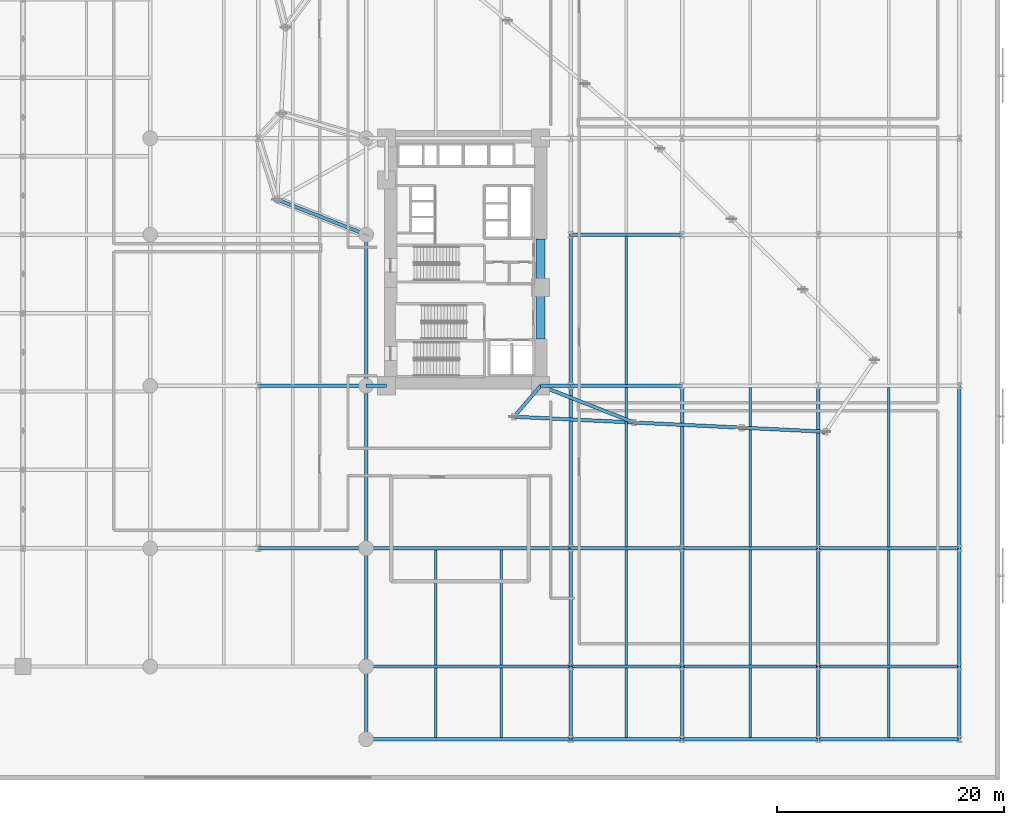
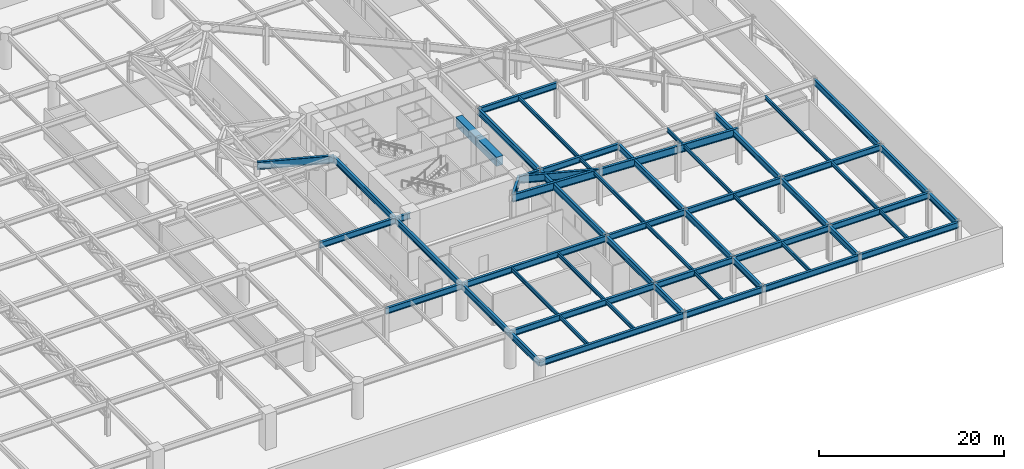
# One storey, part 17 of 40: 57 beams.
"""IFC4 building model written with IfcOpenShell, lengths in metres."""

from ifc_helpers import new_model, si_unit, direction, frame, origin, origin_2d, place, context, subcontext, project, spatial, rectangle, i_section, extrude, material, material_profile, profile_set, type_object, element, save


model = new_model("IFC4")

# Units and contexts
model_context = context("Model", 3, precision=1e-05, world=origin(), true_north=direction((0.0, 1.0)))
body_context = subcontext(model_context, "Body", "Model", "MODEL_VIEW")
ifc_project = project(units=[si_unit("LENGTHUNIT", "METRE"), si_unit("AREAUNIT", "SQUARE_METRE"), si_unit("VOLUMEUNIT", "CUBIC_METRE"), si_unit("PLANEANGLEUNIT", "RADIAN"), si_unit("MASSUNIT", "GRAM", prefix="KILO")], contexts=[model_context])

# Site, building, storey
site_placement = place(None, origin())
site = spatial("IfcSite", under=ifc_project, at=site_placement, CompositionType="ELEMENT")
building_placement = place(site_placement, origin())
building = spatial("IfcBuilding", under=site, at=building_placement, Name="Narakoshi Arena Tower", CompositionType="ELEMENT")
storey_placement = place(building_placement, frame((0.0, 0.0, 21.60009765625)))
storey = spatial("IfcBuildingStorey", under=building, at=storey_placement, Name="L05", CompositionType="ELEMENT", Elevation=21.60009765625)

# Beams
ifc_material_1 = material(Name="Concrete C60/75", Category="concrete")
ifc_material_profile_1 = material_profile(ifc_material_1, rectangle(XDim=0.800048828125, YDim=1.199951171875, at=origin_2d()), Name="RCB800x1200")
ifc_profile_set_1 = profile_set([ifc_material_profile_1], Name="Concrete C60/75")
beam_type_1 = type_object("IfcBeamType", Name="BM-CPL-1200", PredefinedType="LINTEL", material=ifc_profile_set_1)
beam_1_placement = place(storey_placement, frame((85.550048828125, 38.800048828125, 4.099853515625), z_axis=(0.0, 1.0, 0.0), x_axis=(-1.0, 0.0, 0.0)))
element("IfcBeam", 1, at=beam_1_placement, inside=storey, type_object=beam_type_1, Name="L05 Core Seismic Coupling Beam 1", PredefinedType="LINTEL", context=body_context, shape_type="SweptSolid", body=[
    extrude(rectangle(XDim=0.800048828125, YDim=1.199951171875, at=origin_2d()), origin(), (0.0, 0.0, 1.0), 4.550048828125),
])
beam_2_placement = place(storey_placement, frame((85.550048828125, 43.35009765625, 4.099853515625), z_axis=(0.0, 1.0, 0.0), x_axis=(-1.0, 0.0, 0.0)))
element("IfcBeam", 2, at=beam_2_placement, inside=storey, type_object=beam_type_1, Name="L05 Core Seismic Coupling Beam 2", PredefinedType="LINTEL", context=body_context, shape_type="SweptSolid", body=[
    extrude(rectangle(XDim=0.800048828125, YDim=1.199951171875, at=origin_2d()), origin(), (0.0, 0.0, 1.0), 4.25),
])
ifc_material_2 = material(Name="Structural steel S460ML", Category="steel")
ifc_material_profile_2 = material_profile(ifc_material_2, i_section(OverallWidth=0.300048828125, OverallDepth=0.800048828125, WebThickness=0.017578125, FlangeThickness=0.032958984375, FilletRadius=0.030029296875, at=origin_2d()), Name="HE800B")
ifc_profile_set_2 = profile_set([ifc_material_profile_2], Name="Structural steel S460ML")
beam_type_2 = type_object("IfcBeamType", Name="BM-PRI-800", PredefinedType="BEAM", material=ifc_profile_set_2)
beam_3_placement = place(storey_placement, frame((70.199951171875, 3.60009765625, 4.199951171875), z_axis=(1.0, 0.0, 0.0), x_axis=(0.0, 1.0, 0.0)))
element("IfcBeam", 3, at=beam_3_placement, inside=storey, type_object=beam_type_2, Name="L05 Podium Primary X-Girder 001", PredefinedType="BEAM", context=body_context, shape_type="SweptSolid", body=[
    extrude(i_section(OverallWidth=0.300048828125, OverallDepth=0.800048828125, WebThickness=0.017578125, FlangeThickness=0.032958984375, FilletRadius=0.030029296875, at=origin_2d()), origin(), (0.0, 0.0, 1.0), 18.0),
])
beam_4_placement = place(storey_placement, frame((88.199951171875, 3.60009765625, 4.199951171875), z_axis=(1.0, 0.0, 0.0), x_axis=(0.0, 1.0, 0.0)))
element("IfcBeam", 4, at=beam_4_placement, inside=storey, type_object=beam_type_2, Name="L05 Podium Primary X-Girder 002", PredefinedType="BEAM", context=body_context, shape_type="SweptSolid", body=[
    extrude(i_section(OverallWidth=0.300048828125, OverallDepth=0.800048828125, WebThickness=0.017578125, FlangeThickness=0.032958984375, FilletRadius=0.030029296875, at=origin_2d()), origin(), (0.0, 0.0, 1.0), 9.800048828125),
])
beam_5_placement = place(storey_placement, frame((98.0, 3.60009765625, 4.199951171875), z_axis=(1.0, 0.0, 0.0), x_axis=(0.0, 1.0, 0.0)))
element("IfcBeam", 5, at=beam_5_placement, inside=storey, type_object=beam_type_2, Name="L05 Podium Primary X-Girder 003", PredefinedType="BEAM", context=body_context, shape_type="SweptSolid", body=[
    extrude(i_section(OverallWidth=0.300048828125, OverallDepth=0.800048828125, WebThickness=0.017578125, FlangeThickness=0.032958984375, FilletRadius=0.030029296875, at=origin_2d()), origin(), (0.0, 0.0, 1.0), 12.0),
])
beam_6_placement = place(storey_placement, frame((110.0, 3.60009765625, 4.199951171875), z_axis=(1.0, 0.0, 0.0), x_axis=(0.0, 1.0, 0.0)))
element("IfcBeam", 6, at=beam_6_placement, inside=storey, type_object=beam_type_2, Name="L05 Podium Primary X-Girder 004", PredefinedType="BEAM", context=body_context, shape_type="SweptSolid", body=[
    extrude(i_section(OverallWidth=0.300048828125, OverallDepth=0.800048828125, WebThickness=0.017578125, FlangeThickness=0.032958984375, FilletRadius=0.030029296875, at=origin_2d()), origin(), (0.0, 0.0, 1.0), 12.39990234375),
])
beam_7_placement = place(storey_placement, frame((70.199951171875, 10.0, 4.199951171875), z_axis=(1.0, 0.0, 0.0), x_axis=(0.0, 1.0, 0.0)))
element("IfcBeam", 7, at=beam_7_placement, inside=storey, type_object=beam_type_2, Name="L05 Podium Primary X-Girder 010", PredefinedType="BEAM", context=body_context, shape_type="SweptSolid", body=[
    extrude(i_section(OverallWidth=0.300048828125, OverallDepth=0.800048828125, WebThickness=0.017578125, FlangeThickness=0.032958984375, FilletRadius=0.030029296875, at=origin_2d()), origin(), (0.0, 0.0, 1.0), 18.0),
])
beam_8_placement = place(storey_placement, frame((88.199951171875, 10.0, 4.199951171875), z_axis=(1.0, 0.0, 0.0), x_axis=(0.0, 1.0, 0.0)))
element("IfcBeam", 8, at=beam_8_placement, inside=storey, type_object=beam_type_2, Name="L05 Podium Primary X-Girder 011", PredefinedType="BEAM", context=body_context, shape_type="SweptSolid", body=[
    extrude(i_section(OverallWidth=0.300048828125, OverallDepth=0.800048828125, WebThickness=0.017578125, FlangeThickness=0.032958984375, FilletRadius=0.030029296875, at=origin_2d()), origin(), (0.0, 0.0, 1.0), 9.800048828125),
])
beam_9_placement = place(storey_placement, frame((98.0, 10.0, 4.199951171875), z_axis=(1.0, 0.0, 0.0), x_axis=(0.0, 1.0, 0.0)))
element("IfcBeam", 9, at=beam_9_placement, inside=storey, type_object=beam_type_2, Name="L05 Podium Primary X-Girder 012", PredefinedType="BEAM", context=body_context, shape_type="SweptSolid", body=[
    extrude(i_section(OverallWidth=0.300048828125, OverallDepth=0.800048828125, WebThickness=0.017578125, FlangeThickness=0.032958984375, FilletRadius=0.030029296875, at=origin_2d()), origin(), (0.0, 0.0, 1.0), 12.0),
])
beam_10_placement = place(storey_placement, frame((110.0, 10.0, 4.199951171875), z_axis=(1.0, 0.0, 0.0), x_axis=(0.0, 1.0, 0.0)))
element("IfcBeam", 10, at=beam_10_placement, inside=storey, type_object=beam_type_2, Name="L05 Podium Primary X-Girder 013", PredefinedType="BEAM", context=body_context, shape_type="SweptSolid", body=[
    extrude(i_section(OverallWidth=0.300048828125, OverallDepth=0.800048828125, WebThickness=0.017578125, FlangeThickness=0.032958984375, FilletRadius=0.030029296875, at=origin_2d()), origin(), (0.0, 0.0, 1.0), 12.39990234375),
])
beam_11_placement = place(storey_placement, frame((60.699951171875, 20.39990234375, 4.199951171875), z_axis=(1.0, 0.0, 0.0), x_axis=(0.0, 1.0, 0.0)))
element("IfcBeam", 11, at=beam_11_placement, inside=storey, type_object=beam_type_2, Name="L05 Podium Primary X-Girder 019", PredefinedType="BEAM", context=body_context, shape_type="SweptSolid", body=[
    extrude(i_section(OverallWidth=0.300048828125, OverallDepth=0.800048828125, WebThickness=0.017578125, FlangeThickness=0.032958984375, FilletRadius=0.030029296875, at=origin_2d()), origin(), (0.0, 0.0, 1.0), 9.5),
])
beam_12_placement = place(storey_placement, frame((70.199951171875, 20.39990234375, 4.199951171875), z_axis=(1.0, 0.0, 0.0), x_axis=(0.0, 1.0, 0.0)))
element("IfcBeam", 12, at=beam_12_placement, inside=storey, type_object=beam_type_2, Name="L05 Podium Primary X-Girder 020", PredefinedType="BEAM", context=body_context, shape_type="SweptSolid", body=[
    extrude(i_section(OverallWidth=0.300048828125, OverallDepth=0.800048828125, WebThickness=0.017578125, FlangeThickness=0.032958984375, FilletRadius=0.030029296875, at=origin_2d()), origin(), (0.0, 0.0, 1.0), 18.0),
])
beam_13_placement = place(storey_placement, frame((88.199951171875, 20.39990234375, 4.199951171875), z_axis=(1.0, 0.0, 0.0), x_axis=(0.0, 1.0, 0.0)))
element("IfcBeam", 13, at=beam_13_placement, inside=storey, type_object=beam_type_2, Name="L05 Podium Primary X-Girder 021", PredefinedType="BEAM", context=body_context, shape_type="SweptSolid", body=[
    extrude(i_section(OverallWidth=0.300048828125, OverallDepth=0.800048828125, WebThickness=0.017578125, FlangeThickness=0.032958984375, FilletRadius=0.030029296875, at=origin_2d()), origin(), (0.0, 0.0, 1.0), 9.800048828125),
])
beam_14_placement = place(storey_placement, frame((98.0, 20.39990234375, 4.199951171875), z_axis=(1.0, 0.0, 0.0), x_axis=(0.0, 1.0, 0.0)))
element("IfcBeam", 14, at=beam_14_placement, inside=storey, type_object=beam_type_2, Name="L05 Podium Primary X-Girder 022", PredefinedType="BEAM", context=body_context, shape_type="SweptSolid", body=[
    extrude(i_section(OverallWidth=0.300048828125, OverallDepth=0.800048828125, WebThickness=0.017578125, FlangeThickness=0.032958984375, FilletRadius=0.030029296875, at=origin_2d()), origin(), (0.0, 0.0, 1.0), 12.0),
])
beam_15_placement = place(storey_placement, frame((110.0, 20.39990234375, 4.199951171875), z_axis=(1.0, 0.0, 0.0), x_axis=(0.0, 1.0, 0.0)))
element("IfcBeam", 15, at=beam_15_placement, inside=storey, type_object=beam_type_2, Name="L05 Podium Primary X-Girder 023", PredefinedType="BEAM", context=body_context, shape_type="SweptSolid", body=[
    extrude(i_section(OverallWidth=0.300048828125, OverallDepth=0.800048828125, WebThickness=0.017578125, FlangeThickness=0.032958984375, FilletRadius=0.030029296875, at=origin_2d()), origin(), (0.0, 0.0, 1.0), 12.39990234375),
])
beam_16_placement = place(storey_placement, frame((60.699951171875, 34.699951171875, 4.199951171875), z_axis=(1.0, 0.0, 0.0), x_axis=(0.0, 1.0, 0.0)))
element("IfcBeam", 16, at=beam_16_placement, inside=storey, type_object=beam_type_2, Name="L05 Podium Primary X-Girder 025", PredefinedType="BEAM", context=body_context, shape_type="SweptSolid", body=[
    extrude(i_section(OverallWidth=0.300048828125, OverallDepth=0.800048828125, WebThickness=0.017578125, FlangeThickness=0.032958984375, FilletRadius=0.030029296875, at=origin_2d()), origin(), (0.0, 0.0, 1.0), 9.5),
])
beam_17_placement = place(storey_placement, frame((70.199951171875, 34.699951171875, 4.199951171875), z_axis=(1.0, 0.0, 0.0), x_axis=(0.0, 1.0, 0.0)))
element("IfcBeam", 17, at=beam_17_placement, inside=storey, type_object=beam_type_2, Name="L05 Podium Primary X-Girder 026", PredefinedType="BEAM", context=body_context, shape_type="SweptSolid", body=[
    extrude(i_section(OverallWidth=0.300048828125, OverallDepth=0.800048828125, WebThickness=0.017578125, FlangeThickness=0.032958984375, FilletRadius=0.030029296875, at=origin_2d()), origin(), (0.0, 0.0, 1.0), 1.800048828125),
])
beam_18_placement = place(storey_placement, frame((85.550048828125, 34.699951171875, 4.199951171875), z_axis=(1.0, 0.0, 0.0), x_axis=(0.0, 1.0, 0.0)))
element("IfcBeam", 18, at=beam_18_placement, inside=storey, type_object=beam_type_2, Name="L05 Podium Primary X-Girder 027", PredefinedType="BEAM", context=body_context, shape_type="SweptSolid", body=[
    extrude(i_section(OverallWidth=0.300048828125, OverallDepth=0.800048828125, WebThickness=0.017578125, FlangeThickness=0.032958984375, FilletRadius=0.030029296875, at=origin_2d()), origin(), (0.0, 0.0, 1.0), 2.64990234375),
])
for number, where, z_axis, x_axis, name in (
    (19, (88.199951171875, 34.699951171875, 4.199951171875), (1.0, 0.0, 0.0), (0.0, 1.0, 0.0), "L05 Podium Primary X-Girder 028"),
    (20, (88.199951171875, 48.0, 4.199951171875), (1.0, 0.0, 0.0), (0.0, 1.0, 0.0), "L05 Podium Primary X-Girder 032"),
):
    element("IfcBeam", number, at=place(storey_placement, frame(where, z_axis=z_axis, x_axis=x_axis)), inside=storey, type_object=beam_type_2, Name=name, PredefinedType="BEAM", context=body_context, shape_type="SweptSolid", body=[
        extrude(i_section(OverallWidth=0.300048828125, OverallDepth=0.800048828125, WebThickness=0.017578125, FlangeThickness=0.032958984375, FilletRadius=0.030029296875, at=origin_2d()), origin(), (0.0, 0.0, 1.0), 9.800048828125),
    ])
beam_19_placement = place(storey_placement, frame((70.199951171875, 3.60009765625, 4.199951171875), z_axis=(0.0, 1.0, 0.0), x_axis=(-1.0, 0.0, 0.0)))
element("IfcBeam", 21, at=beam_19_placement, inside=storey, type_object=beam_type_2, Name="L05 Podium Primary Y-Girder 089", PredefinedType="BEAM", context=body_context, shape_type="SweptSolid", body=[
    extrude(i_section(OverallWidth=0.300048828125, OverallDepth=0.800048828125, WebThickness=0.017578125, FlangeThickness=0.032958984375, FilletRadius=0.030029296875, at=origin_2d()), origin(), (0.0, 0.0, 1.0), 6.39990234375),
])
beam_20_placement = place(storey_placement, frame((70.199951171875, 10.0, 4.199951171875), z_axis=(0.0, 1.0, 0.0), x_axis=(-1.0, 0.0, 0.0)))
element("IfcBeam", 22, at=beam_20_placement, inside=storey, type_object=beam_type_2, Name="L05 Podium Primary Y-Girder 090", PredefinedType="BEAM", context=body_context, shape_type="SweptSolid", body=[
    extrude(i_section(OverallWidth=0.300048828125, OverallDepth=0.800048828125, WebThickness=0.017578125, FlangeThickness=0.032958984375, FilletRadius=0.030029296875, at=origin_2d()), origin(), (0.0, 0.0, 1.0), 10.39990234375),
])
beam_21_placement = place(storey_placement, frame((70.199951171875, 20.39990234375, 4.199951171875), z_axis=(0.0, 1.0, 0.0), x_axis=(-1.0, 0.0, 0.0)))
element("IfcBeam", 23, at=beam_21_placement, inside=storey, type_object=beam_type_2, Name="L05 Podium Primary Y-Girder 091", PredefinedType="BEAM", context=body_context, shape_type="SweptSolid", body=[
    extrude(i_section(OverallWidth=0.300048828125, OverallDepth=0.800048828125, WebThickness=0.017578125, FlangeThickness=0.032958984375, FilletRadius=0.030029296875, at=origin_2d()), origin(), (0.0, 0.0, 1.0), 14.300048828125),
])
beam_22_placement = place(storey_placement, frame((70.199951171875, 34.699951171875, 4.199951171875), z_axis=(0.0, 1.0, 0.0), x_axis=(-1.0, 0.0, 0.0)))
element("IfcBeam", 24, at=beam_22_placement, inside=storey, type_object=beam_type_2, Name="L05 Podium Primary Y-Girder 092", PredefinedType="BEAM", context=body_context, shape_type="SweptSolid", body=[
    extrude(i_section(OverallWidth=0.300048828125, OverallDepth=0.800048828125, WebThickness=0.017578125, FlangeThickness=0.032958984375, FilletRadius=0.030029296875, at=origin_2d()), origin(), (0.0, 0.0, 1.0), 13.300048828125),
])
beam_23_placement = place(storey_placement, frame((88.199951171875, 3.60009765625, 4.199951171875), z_axis=(0.0, 1.0, 0.0), x_axis=(-1.0, 0.0, 0.0)))
element("IfcBeam", 25, at=beam_23_placement, inside=storey, type_object=beam_type_2, Name="L05 Podium Primary Y-Girder 098", PredefinedType="BEAM", context=body_context, shape_type="SweptSolid", body=[
    extrude(i_section(OverallWidth=0.300048828125, OverallDepth=0.800048828125, WebThickness=0.017578125, FlangeThickness=0.032958984375, FilletRadius=0.030029296875, at=origin_2d()), origin(), (0.0, 0.0, 1.0), 6.39990234375),
])
beam_24_placement = place(storey_placement, frame((88.199951171875, 10.0, 4.199951171875), z_axis=(0.0, 1.0, 0.0), x_axis=(-1.0, 0.0, 0.0)))
element("IfcBeam", 26, at=beam_24_placement, inside=storey, type_object=beam_type_2, Name="L05 Podium Primary Y-Girder 099", PredefinedType="BEAM", context=body_context, shape_type="SweptSolid", body=[
    extrude(i_section(OverallWidth=0.300048828125, OverallDepth=0.800048828125, WebThickness=0.017578125, FlangeThickness=0.032958984375, FilletRadius=0.030029296875, at=origin_2d()), origin(), (0.0, 0.0, 1.0), 10.39990234375),
])
beam_25_placement = place(storey_placement, frame((88.199951171875, 20.39990234375, 4.199951171875), z_axis=(0.0, 1.0, 0.0), x_axis=(-1.0, 0.0, 0.0)))
element("IfcBeam", 27, at=beam_25_placement, inside=storey, type_object=beam_type_2, Name="L05 Podium Primary Y-Girder 100", PredefinedType="BEAM", context=body_context, shape_type="SweptSolid", body=[
    extrude(i_section(OverallWidth=0.300048828125, OverallDepth=0.800048828125, WebThickness=0.017578125, FlangeThickness=0.032958984375, FilletRadius=0.030029296875, at=origin_2d()), origin(), (0.0, 0.0, 1.0), 14.300048828125),
])
beam_26_placement = place(storey_placement, frame((88.199951171875, 34.699951171875, 4.199951171875), z_axis=(0.0, 1.0, 0.0), x_axis=(-1.0, 0.0, 0.0)))
element("IfcBeam", 28, at=beam_26_placement, inside=storey, type_object=beam_type_2, Name="L05 Podium Primary Y-Girder 101", PredefinedType="BEAM", context=body_context, shape_type="SweptSolid", body=[
    extrude(i_section(OverallWidth=0.300048828125, OverallDepth=0.800048828125, WebThickness=0.017578125, FlangeThickness=0.032958984375, FilletRadius=0.030029296875, at=origin_2d()), origin(), (0.0, 0.0, 1.0), 13.300048828125),
])
beam_27_placement = place(storey_placement, frame((98.0, 3.60009765625, 4.199951171875), z_axis=(0.0, 1.0, 0.0), x_axis=(-1.0, 0.0, 0.0)))
element("IfcBeam", 29, at=beam_27_placement, inside=storey, type_object=beam_type_2, Name="L05 Podium Primary Y-Girder 106", PredefinedType="BEAM", context=body_context, shape_type="SweptSolid", body=[
    extrude(i_section(OverallWidth=0.300048828125, OverallDepth=0.800048828125, WebThickness=0.017578125, FlangeThickness=0.032958984375, FilletRadius=0.030029296875, at=origin_2d()), origin(), (0.0, 0.0, 1.0), 6.39990234375),
])
beam_28_placement = place(storey_placement, frame((98.0, 10.0, 4.199951171875), z_axis=(0.0, 1.0, 0.0), x_axis=(-1.0, 0.0, 0.0)))
element("IfcBeam", 30, at=beam_28_placement, inside=storey, type_object=beam_type_2, Name="L05 Podium Primary Y-Girder 107", PredefinedType="BEAM", context=body_context, shape_type="SweptSolid", body=[
    extrude(i_section(OverallWidth=0.300048828125, OverallDepth=0.800048828125, WebThickness=0.017578125, FlangeThickness=0.032958984375, FilletRadius=0.030029296875, at=origin_2d()), origin(), (0.0, 0.0, 1.0), 10.39990234375),
])
beam_29_placement = place(storey_placement, frame((98.0, 20.39990234375, 4.199951171875), z_axis=(0.0, 1.0, 0.0), x_axis=(-1.0, 0.0, 0.0)))
element("IfcBeam", 31, at=beam_29_placement, inside=storey, type_object=beam_type_2, Name="L05 Podium Primary Y-Girder 108", PredefinedType="BEAM", context=body_context, shape_type="SweptSolid", body=[
    extrude(i_section(OverallWidth=0.300048828125, OverallDepth=0.800048828125, WebThickness=0.017578125, FlangeThickness=0.032958984375, FilletRadius=0.030029296875, at=origin_2d()), origin(), (0.0, 0.0, 1.0), 14.300048828125),
])
beam_30_placement = place(storey_placement, frame((110.0, 3.60009765625, 4.199951171875), z_axis=(0.0, 1.0, 0.0), x_axis=(-1.0, 0.0, 0.0)))
element("IfcBeam", 32, at=beam_30_placement, inside=storey, type_object=beam_type_2, Name="L05 Podium Primary Y-Girder 114", PredefinedType="BEAM", context=body_context, shape_type="SweptSolid", body=[
    extrude(i_section(OverallWidth=0.300048828125, OverallDepth=0.800048828125, WebThickness=0.017578125, FlangeThickness=0.032958984375, FilletRadius=0.030029296875, at=origin_2d()), origin(), (0.0, 0.0, 1.0), 6.39990234375),
])
beam_31_placement = place(storey_placement, frame((110.0, 10.0, 4.199951171875), z_axis=(0.0, 1.0, 0.0), x_axis=(-1.0, 0.0, 0.0)))
element("IfcBeam", 33, at=beam_31_placement, inside=storey, type_object=beam_type_2, Name="L05 Podium Primary Y-Girder 115", PredefinedType="BEAM", context=body_context, shape_type="SweptSolid", body=[
    extrude(i_section(OverallWidth=0.300048828125, OverallDepth=0.800048828125, WebThickness=0.017578125, FlangeThickness=0.032958984375, FilletRadius=0.030029296875, at=origin_2d()), origin(), (0.0, 0.0, 1.0), 10.39990234375),
])
beam_32_placement = place(storey_placement, frame((110.0, 20.39990234375, 4.199951171875), z_axis=(0.0, 1.0, 0.0), x_axis=(-1.0, 0.0, 0.0)))
element("IfcBeam", 34, at=beam_32_placement, inside=storey, type_object=beam_type_2, Name="L05 Podium Primary Y-Girder 116", PredefinedType="BEAM", context=body_context, shape_type="SweptSolid", body=[
    extrude(i_section(OverallWidth=0.300048828125, OverallDepth=0.800048828125, WebThickness=0.017578125, FlangeThickness=0.032958984375, FilletRadius=0.030029296875, at=origin_2d()), origin(), (0.0, 0.0, 1.0), 14.300048828125),
])
beam_33_placement = place(storey_placement, frame((122.39990234375, 3.60009765625, 4.199951171875), z_axis=(0.0, 1.0, 0.0), x_axis=(-1.0, 0.0, 0.0)))
element("IfcBeam", 35, at=beam_33_placement, inside=storey, type_object=beam_type_2, Name="L05 Podium Primary Y-Girder 122", PredefinedType="BEAM", context=body_context, shape_type="SweptSolid", body=[
    extrude(i_section(OverallWidth=0.300048828125, OverallDepth=0.800048828125, WebThickness=0.017578125, FlangeThickness=0.032958984375, FilletRadius=0.030029296875, at=origin_2d()), origin(), (0.0, 0.0, 1.0), 6.39990234375),
])
beam_34_placement = place(storey_placement, frame((122.39990234375, 10.0, 4.199951171875), z_axis=(0.0, 1.0, 0.0), x_axis=(-1.0, 0.0, 0.0)))
element("IfcBeam", 36, at=beam_34_placement, inside=storey, type_object=beam_type_2, Name="L05 Podium Primary Y-Girder 123", PredefinedType="BEAM", context=body_context, shape_type="SweptSolid", body=[
    extrude(i_section(OverallWidth=0.300048828125, OverallDepth=0.800048828125, WebThickness=0.017578125, FlangeThickness=0.032958984375, FilletRadius=0.030029296875, at=origin_2d()), origin(), (0.0, 0.0, 1.0), 10.39990234375),
])
beam_35_placement = place(storey_placement, frame((122.39990234375, 20.39990234375, 4.199951171875), z_axis=(0.0, 1.0, 0.0), x_axis=(-1.0, 0.0, 0.0)))
element("IfcBeam", 37, at=beam_35_placement, inside=storey, type_object=beam_type_2, Name="L05 Podium Primary Y-Girder 124", PredefinedType="BEAM", context=body_context, shape_type="SweptSolid", body=[
    extrude(i_section(OverallWidth=0.300048828125, OverallDepth=0.800048828125, WebThickness=0.017578125, FlangeThickness=0.032958984375, FilletRadius=0.030029296875, at=origin_2d()), origin(), (0.0, 0.0, 1.0), 14.300048828125),
])
ifc_material_3 = material(Name="Structural steel S355J2", Category="steel")
ifc_material_profile_3 = material_profile(ifc_material_3, i_section(OverallWidth=0.199951171875, OverallDepth=0.5, WebThickness=0.01025390625, FlangeThickness=0.01611328125, FilletRadius=0.02099609375, at=origin_2d()), Name="IPE500")
ifc_profile_set_3 = profile_set([ifc_material_profile_3], Name="Structural steel S355J2")
beam_type_3 = type_object("IfcBeamType", Name="BM-SEC-500", PredefinedType="JOIST", material=ifc_profile_set_3)
beam_36_placement = place(storey_placement, frame((76.320068359375, 3.735107421875, 4.349853515625), z_axis=(0.0, 1.0, 0.0), x_axis=(-1.0, 0.0, 0.0)))
element("IfcBeam", 38, at=beam_36_placement, inside=storey, type_object=beam_type_3, Name="L05 Podium Composite Floor Joist 021", PredefinedType="JOIST", context=body_context, shape_type="SweptSolid", body=[
    extrude(i_section(OverallWidth=0.199951171875, OverallDepth=0.5, WebThickness=0.01025390625, FlangeThickness=0.01611328125, FilletRadius=0.02099609375, at=origin_2d()), origin(), (0.0, 0.0, 1.0), 6.1298828125),
])
beam_37_placement = place(storey_placement, frame((76.320068359375, 10.135009765625, 4.349853515625), z_axis=(0.0, 1.0, 0.0), x_axis=(-1.0, 0.0, 0.0)))
element("IfcBeam", 39, at=beam_37_placement, inside=storey, type_object=beam_type_3, Name="L05 Podium Composite Floor Joist 022", PredefinedType="JOIST", context=body_context, shape_type="SweptSolid", body=[
    extrude(i_section(OverallWidth=0.199951171875, OverallDepth=0.5, WebThickness=0.01025390625, FlangeThickness=0.01611328125, FilletRadius=0.02099609375, at=origin_2d()), origin(), (0.0, 0.0, 1.0), 10.1298828125),
])
beam_38_placement = place(storey_placement, frame((82.080078125, 3.735107421875, 4.349853515625), z_axis=(0.0, 1.0, 0.0), x_axis=(-1.0, 0.0, 0.0)))
element("IfcBeam", 40, at=beam_38_placement, inside=storey, type_object=beam_type_3, Name="L05 Podium Composite Floor Joist 026", PredefinedType="JOIST", context=body_context, shape_type="SweptSolid", body=[
    extrude(i_section(OverallWidth=0.199951171875, OverallDepth=0.5, WebThickness=0.01025390625, FlangeThickness=0.01611328125, FilletRadius=0.02099609375, at=origin_2d()), origin(), (0.0, 0.0, 1.0), 6.1298828125),
])
beam_39_placement = place(storey_placement, frame((82.080078125, 10.135009765625, 4.349853515625), z_axis=(0.0, 1.0, 0.0), x_axis=(-1.0, 0.0, 0.0)))
element("IfcBeam", 41, at=beam_39_placement, inside=storey, type_object=beam_type_3, Name="L05 Podium Composite Floor Joist 027", PredefinedType="JOIST", context=body_context, shape_type="SweptSolid", body=[
    extrude(i_section(OverallWidth=0.199951171875, OverallDepth=0.5, WebThickness=0.01025390625, FlangeThickness=0.01611328125, FilletRadius=0.02099609375, at=origin_2d()), origin(), (0.0, 0.0, 1.0), 10.1298828125),
])
beam_40_placement = place(storey_placement, frame((93.10009765625, 3.735107421875, 4.349853515625), z_axis=(0.0, 1.0, 0.0), x_axis=(-1.0, 0.0, 0.0)))
element("IfcBeam", 42, at=beam_40_placement, inside=storey, type_object=beam_type_3, Name="L05 Podium Composite Floor Joist 031", PredefinedType="JOIST", context=body_context, shape_type="SweptSolid", body=[
    extrude(i_section(OverallWidth=0.199951171875, OverallDepth=0.5, WebThickness=0.01025390625, FlangeThickness=0.01611328125, FilletRadius=0.02099609375, at=origin_2d()), origin(), (0.0, 0.0, 1.0), 6.1298828125),
])
beam_41_placement = place(storey_placement, frame((93.10009765625, 10.135009765625, 4.349853515625), z_axis=(0.0, 1.0, 0.0), x_axis=(-1.0, 0.0, 0.0)))
element("IfcBeam", 43, at=beam_41_placement, inside=storey, type_object=beam_type_3, Name="L05 Podium Composite Floor Joist 032", PredefinedType="JOIST", context=body_context, shape_type="SweptSolid", body=[
    extrude(i_section(OverallWidth=0.199951171875, OverallDepth=0.5, WebThickness=0.01025390625, FlangeThickness=0.01611328125, FilletRadius=0.02099609375, at=origin_2d()), origin(), (0.0, 0.0, 1.0), 10.1298828125),
])
beam_42_placement = place(storey_placement, frame((93.10009765625, 20.534912109375, 4.349853515625), z_axis=(0.0, 1.0, 0.0), x_axis=(-1.0, 0.0, 0.0)))
element("IfcBeam", 44, at=beam_42_placement, inside=storey, type_object=beam_type_3, Name="L05 Podium Composite Floor Joist 033", PredefinedType="JOIST", context=body_context, shape_type="SweptSolid", body=[
    extrude(i_section(OverallWidth=0.199951171875, OverallDepth=0.5, WebThickness=0.01025390625, FlangeThickness=0.01611328125, FilletRadius=0.02099609375, at=origin_2d()), origin(), (0.0, 0.0, 1.0), 14.030029296875),
])
beam_43_placement = place(storey_placement, frame((93.10009765625, 34.8349609375, 4.349853515625), z_axis=(0.0, 1.0, 0.0), x_axis=(-1.0, 0.0, 0.0)))
element("IfcBeam", 45, at=beam_43_placement, inside=storey, type_object=beam_type_3, Name="L05 Podium Composite Floor Joist 034", PredefinedType="JOIST", context=body_context, shape_type="SweptSolid", body=[
    extrude(i_section(OverallWidth=0.199951171875, OverallDepth=0.5, WebThickness=0.01025390625, FlangeThickness=0.01611328125, FilletRadius=0.02099609375, at=origin_2d()), origin(), (0.0, 0.0, 1.0), 13.030029296875),
])
beam_44_placement = place(storey_placement, frame((104.0, 3.735107421875, 4.349853515625), z_axis=(0.0, 1.0, 0.0), x_axis=(-1.0, 0.0, 0.0)))
element("IfcBeam", 46, at=beam_44_placement, inside=storey, type_object=beam_type_3, Name="L05 Podium Composite Floor Joist 039", PredefinedType="JOIST", context=body_context, shape_type="SweptSolid", body=[
    extrude(i_section(OverallWidth=0.199951171875, OverallDepth=0.5, WebThickness=0.01025390625, FlangeThickness=0.01611328125, FilletRadius=0.02099609375, at=origin_2d()), origin(), (0.0, 0.0, 1.0), 6.1298828125),
])
beam_45_placement = place(storey_placement, frame((104.0, 10.135009765625, 4.349853515625), z_axis=(0.0, 1.0, 0.0), x_axis=(-1.0, 0.0, 0.0)))
element("IfcBeam", 47, at=beam_45_placement, inside=storey, type_object=beam_type_3, Name="L05 Podium Composite Floor Joist 040", PredefinedType="JOIST", context=body_context, shape_type="SweptSolid", body=[
    extrude(i_section(OverallWidth=0.199951171875, OverallDepth=0.5, WebThickness=0.01025390625, FlangeThickness=0.01611328125, FilletRadius=0.02099609375, at=origin_2d()), origin(), (0.0, 0.0, 1.0), 10.1298828125),
])
beam_46_placement = place(storey_placement, frame((104.0, 20.534912109375, 4.349853515625), z_axis=(0.0, 1.0, 0.0), x_axis=(-1.0, 0.0, 0.0)))
element("IfcBeam", 48, at=beam_46_placement, inside=storey, type_object=beam_type_3, Name="L05 Podium Composite Floor Joist 041", PredefinedType="JOIST", context=body_context, shape_type="SweptSolid", body=[
    extrude(i_section(OverallWidth=0.199951171875, OverallDepth=0.5, WebThickness=0.01025390625, FlangeThickness=0.01611328125, FilletRadius=0.02099609375, at=origin_2d()), origin(), (0.0, 0.0, 1.0), 14.030029296875),
])
beam_47_placement = place(storey_placement, frame((116.199951171875, 3.735107421875, 4.349853515625), z_axis=(0.0, 1.0, 0.0), x_axis=(-1.0, 0.0, 0.0)))
element("IfcBeam", 49, at=beam_47_placement, inside=storey, type_object=beam_type_3, Name="L05 Podium Composite Floor Joist 047", PredefinedType="JOIST", context=body_context, shape_type="SweptSolid", body=[
    extrude(i_section(OverallWidth=0.199951171875, OverallDepth=0.5, WebThickness=0.01025390625, FlangeThickness=0.01611328125, FilletRadius=0.02099609375, at=origin_2d()), origin(), (0.0, 0.0, 1.0), 6.1298828125),
])
beam_48_placement = place(storey_placement, frame((116.199951171875, 10.135009765625, 4.349853515625), z_axis=(0.0, 1.0, 0.0), x_axis=(-1.0, 0.0, 0.0)))
element("IfcBeam", 50, at=beam_48_placement, inside=storey, type_object=beam_type_3, Name="L05 Podium Composite Floor Joist 048", PredefinedType="JOIST", context=body_context, shape_type="SweptSolid", body=[
    extrude(i_section(OverallWidth=0.199951171875, OverallDepth=0.5, WebThickness=0.01025390625, FlangeThickness=0.01611328125, FilletRadius=0.02099609375, at=origin_2d()), origin(), (0.0, 0.0, 1.0), 10.1298828125),
])
beam_49_placement = place(storey_placement, frame((116.199951171875, 20.534912109375, 4.349853515625), z_axis=(0.0, 1.0, 0.0), x_axis=(-1.0, 0.0, 0.0)))
element("IfcBeam", 51, at=beam_49_placement, inside=storey, type_object=beam_type_3, Name="L05 Podium Composite Floor Joist 049", PredefinedType="JOIST", context=body_context, shape_type="SweptSolid", body=[
    extrude(i_section(OverallWidth=0.199951171875, OverallDepth=0.5, WebThickness=0.01025390625, FlangeThickness=0.01611328125, FilletRadius=0.02099609375, at=origin_2d()), origin(), (0.0, 0.0, 1.0), 14.030029296875),
])
ifc_material_profile_4 = material_profile(ifc_material_2, i_section(OverallWidth=0.302001953125, OverallDepth=1.008056640625, WebThickness=0.02099609375, FlangeThickness=0.0400390625, FilletRadius=0.030029296875, at=origin_2d()), Name="HE1000M")
ifc_profile_set_4 = profile_set([ifc_material_profile_4], Name="Structural steel S460ML")
beam_type_4 = type_object("IfcBeamType", Name="BM-XFER-1000", PredefinedType="BEAM", material=ifc_profile_set_4)
beam_50_placement = place(storey_placement, frame((70.199951171875, 48.0, 4.19580078125), z_axis=(-0.930065705928, 0.3673932262, 0.0), x_axis=(-0.3673932262, -0.930065705928, 0.0)))
element("IfcBeam", 52, at=beam_50_placement, inside=storey, type_object=beam_type_4, Name="L05 Tower Radial Transfer Girder 16-E", PredefinedType="BEAM", context=body_context, shape_type="SweptSolid", body=[
    extrude(i_section(OverallWidth=0.302001953125, OverallDepth=1.008056640625, WebThickness=0.02099609375, FlangeThickness=0.0400390625, FilletRadius=0.030029296875, at=origin_2d()), origin(), (0.0, 0.0, 1.0), 8.41015625),
])
beam_51_placement = place(storey_placement, frame((85.550048828125, 34.699951171875, 4.19580078125), z_axis=(-0.651771636497, -0.75841527797, 0.0), x_axis=(0.75841527797, -0.651771636497, 0.0)))
element("IfcBeam", 53, at=beam_51_placement, inside=storey, type_object=beam_type_4, Name="L05 LEGA Wall Transfer Bed Girder 2", PredefinedType="BEAM", context=body_context, shape_type="SweptSolid", body=[
    extrude(i_section(OverallWidth=0.302001953125, OverallDepth=1.008056640625, WebThickness=0.02099609375, FlangeThickness=0.0400390625, FilletRadius=0.030029296875, at=origin_2d()), origin(), (0.0, 0.0, 1.0), 3.58740234375),
])
beam_52_placement = place(storey_placement, frame((83.2119140625, 31.979248046875, 4.19580078125), z_axis=(0.998847594152, -0.047994621119, 0.0), x_axis=(0.047994621119, 0.998847594152, 0.0)))
element("IfcBeam", 54, at=beam_52_placement, inside=storey, type_object=beam_type_4, Name="L05 LEGA Wall Transfer Bed Girder 3", PredefinedType="BEAM", context=body_context, shape_type="SweptSolid", body=[
    extrude(i_section(OverallWidth=0.302001953125, OverallDepth=1.008056640625, WebThickness=0.02099609375, FlangeThickness=0.0400390625, FilletRadius=0.030029296875, at=origin_2d()), origin(), (0.0, 0.0, 1.0), 10.560302734375),
])
beam_53_placement = place(storey_placement, frame((93.760009765625, 31.472412109375, 4.19580078125), z_axis=(0.998849228903, -0.047960587155, 0.0), x_axis=(0.047960587155, 0.998849228903, 0.0)))
element("IfcBeam", 55, at=beam_53_placement, inside=storey, type_object=beam_type_4, Name="L05 LEGA Wall Transfer Bed Girder 4", PredefinedType="BEAM", context=body_context, shape_type="SweptSolid", body=[
    extrude(i_section(OverallWidth=0.302001953125, OverallDepth=1.008056640625, WebThickness=0.02099609375, FlangeThickness=0.0400390625, FilletRadius=0.030029296875, at=origin_2d()), origin(), (0.0, 0.0, 1.0), 9.50390625),
])
beam_54_placement = place(storey_placement, frame((103.2529296875, 31.0166015625, 4.19580078125), z_axis=(0.998847872759, -0.047988822508, 0.0), x_axis=(0.047988822508, 0.998847872759, 0.0)))
element("IfcBeam", 56, at=beam_54_placement, inside=storey, type_object=beam_type_4, Name="L05 LEGA Wall Transfer Bed Girder 5", PredefinedType="BEAM", context=body_context, shape_type="SweptSolid", body=[
    extrude(i_section(OverallWidth=0.302001953125, OverallDepth=1.008056640625, WebThickness=0.02099609375, FlangeThickness=0.0400390625, FilletRadius=0.030029296875, at=origin_2d()), origin(), (0.0, 0.0, 1.0), 7.39208984375),
])
beam_55_placement = place(storey_placement, frame((85.550048828125, 34.699951171875, 4.19580078125), z_axis=(0.930666699288, -0.365868138592, 0.0), x_axis=(0.365868138592, 0.930666699288, 0.0)))
element("IfcBeam", 57, at=beam_55_placement, inside=storey, type_object=beam_type_4, Name="L05 Leg Wall Transfer Girder 02", PredefinedType="BEAM", context=body_context, shape_type="SweptSolid", body=[
    extrude(i_section(OverallWidth=0.302001953125, OverallDepth=1.008056640625, WebThickness=0.02099609375, FlangeThickness=0.0400390625, FilletRadius=0.030029296875, at=origin_2d()), origin(), (0.0, 0.0, 1.0), 8.821533203125),
])

save(model, "model.ifc")
